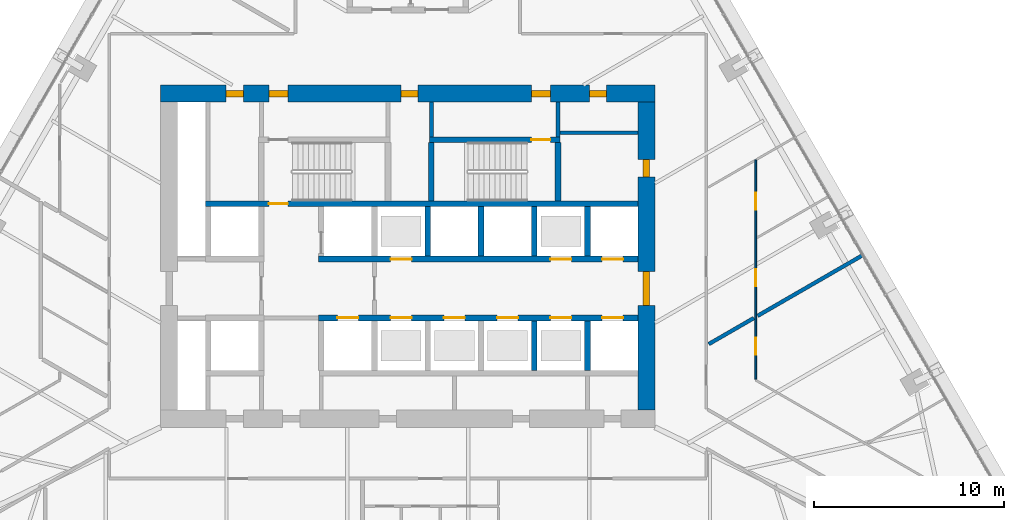
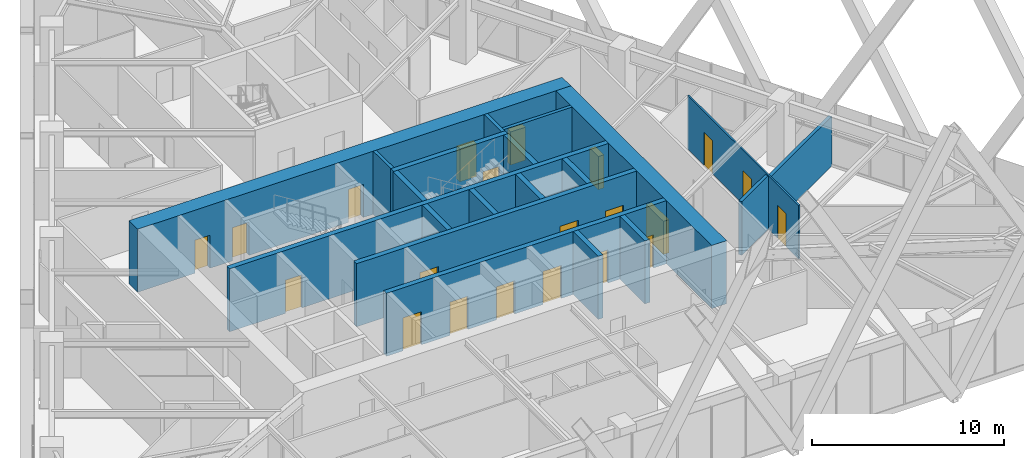
# One storey, part 19 of 23: 21 doors, 20 walls, 21 openings.
"""IFC4 building model written with IfcOpenShell, lengths in metres."""

from ifc_helpers import new_model, si_unit, direction, frame, frame_2d, origin, place, context, subcontext, project, spatial, rectangle, extrude, material, layer, layer_set, type_object, element, fill, save


model = new_model("IFC4")

# Units and contexts
model_context = context("Model", 3, precision=1e-05, world=origin(), true_north=direction((0.0, 1.0)))
body_context = subcontext(model_context, "Body", "Model", "MODEL_VIEW")
ifc_project = project(units=[si_unit("LENGTHUNIT", "METRE"), si_unit("AREAUNIT", "SQUARE_METRE"), si_unit("VOLUMEUNIT", "CUBIC_METRE"), si_unit("PLANEANGLEUNIT", "RADIAN"), si_unit("MASSUNIT", "GRAM", prefix="KILO")], contexts=[model_context])

# Site, building, storey
site_placement = place(None, origin())
site = spatial("IfcSite", under=ifc_project, at=site_placement, CompositionType="ELEMENT")
building_placement = place(site_placement, origin())
building = spatial("IfcBuilding", under=site, at=building_placement, Name="Firuza Gate Tower and Library", CompositionType="ELEMENT")
storey_placement = place(building_placement, frame((0.0, 0.0, 56.800048828125)))
storey = spatial("IfcBuildingStorey", under=building, at=storey_placement, Name="L12", CompositionType="ELEMENT", Elevation=56.800048828125)

# Walls
ifc_material_1 = material(Name="Plasterboard on steel studs", Category="steel")
ifc_layer_1 = layer(ifc_material_1, 0.199951171875)
ifc_layer_set_1 = layer_set([ifc_layer_1], Name="Core partition 200 EI 60")
wall_type_1 = type_object("IfcWallType", Name="Core partition 200 EI 60", PredefinedType="PARTITIONING", material=ifc_layer_set_1)
wall_1_placement = place(storey_placement, frame((83.0, 81.4951171875, 0.0), z_axis=(0.0, 0.0, 1.0), x_axis=(1.0, 0.0, 0.0)))
element("IfcWall", 1, at=wall_1_placement, inside=storey, type_object=wall_type_1, Name="Core partition L12 4", PredefinedType="PARTITIONING", context=body_context, shape_type="SweptSolid", body=[
    extrude(rectangle(XDim=4.10009765625, YDim=0.199951171875, at=frame_2d((2.050048828125, 0.0))), origin(), (0.0, 0.0, 1.0), 4.0),
])
for number, where, z_axis, x_axis, name in (
    (2, (76.239990234375, 81.280029296875, 0.0), (0.0, 0.0, 1.0), (0.0, 1.0, 0.0), "Core partition L12 13"),
    (3, (82.89990234375, 81.280029296875, 0.0), (0.0, 0.0, 1.0), (0.0, 1.0, 0.0), "Core partition L12 15"),
):
    element("IfcWall", number, at=place(storey_placement, frame(where, z_axis=z_axis, x_axis=x_axis)), inside=storey, type_object=wall_type_1, Name=name, PredefinedType="PARTITIONING", context=body_context, shape_type="SweptSolid", body=[
        extrude(rectangle(XDim=1.820068359375, YDim=0.199951171875, at=frame_2d((0.91015625, 0.0))), origin(), (0.0, 0.0, 1.0), 4.0),
    ])

# Wall, openings, doors
ifc_material_2 = material(Name="Concrete C80/95", Category="concrete")
ifc_layer_2 = layer(ifc_material_2, 0.300048828125)
ifc_layer_set_2 = layer_set([ifc_layer_2], Name="Core wall 300 C80/95")
wall_type_2 = type_object("IfcWallType", Name="Core wall 300 C80/95", PredefinedType="SHEAR", material=ifc_layer_set_2)
wall_2_placement = place(storey_placement, frame((70.300048828125, 71.75, 0.0), z_axis=(0.0, 0.0, 1.0), x_axis=(1.0, 0.0, 0.0)))
wall_2 = element("IfcWall", 4, at=wall_2_placement, inside=storey, type_object=wall_type_2, Name="Core wall L12 8", PredefinedType="SHEAR", context=body_context, shape_type="SweptSolid", body=[
    extrude(rectangle(XDim=16.800048828125, YDim=0.300048828125, at=frame_2d((8.39990234375, 0.0))), origin(), (0.0, 0.0, 1.0), 4.0),
])
opening_1_placement = place(wall_2_placement, frame((1.0, 0.0, 0.0)))
opening_1 = element("IfcOpeningElement", 5, at=opening_1_placement, cuts=wall_2, Name="Opening LD-FF1-L12", PredefinedType="OPENING", context=body_context, shape_type="SweptSolid", body=[
    extrude(rectangle(XDim=1.10009765625, YDim=2.10009765625, at=frame_2d((0.550048828125, 1.050048828125))), frame((0.0, 0.16015625, 0.0), z_axis=(0.0, -1.0, 0.0), x_axis=(1.0, 0.0, 0.0)), (0.0, 0.0, 1.0), 0.320068359375),
])
opening_2_placement = place(wall_2_placement, frame((3.800048828125, 0.0, 0.0)))
opening_2 = element("IfcOpeningElement", 6, at=opening_2_placement, cuts=wall_2, Name="Opening LD-LR1-L12", PredefinedType="OPENING", context=body_context, shape_type="SweptSolid", body=[
    extrude(rectangle(XDim=1.10009765625, YDim=2.10009765625, at=frame_2d((0.550048828125, 1.050048828125))), frame((0.0, 0.16015625, 0.0), z_axis=(0.0, -1.0, 0.0), x_axis=(1.0, 0.0, 0.0)), (0.0, 0.0, 1.0), 0.320068359375),
])
opening_3_placement = place(wall_2_placement, frame((6.60009765625, 0.0, 0.0)))
opening_3 = element("IfcOpeningElement", 7, at=opening_3_placement, cuts=wall_2, Name="Opening LD-LR2-L12", PredefinedType="OPENING", context=body_context, shape_type="SweptSolid", body=[
    extrude(rectangle(XDim=1.10009765625, YDim=2.10009765625, at=frame_2d((0.550048828125, 1.050048828125))), frame((0.0, 0.16015625, 0.0), z_axis=(0.0, -1.0, 0.0), x_axis=(1.0, 0.0, 0.0)), (0.0, 0.0, 1.0), 0.320068359375),
])
opening_4_placement = place(wall_2_placement, frame((9.39990234375, 0.0, 0.0)))
opening_4 = element("IfcOpeningElement", 8, at=opening_4_placement, cuts=wall_2, Name="Opening LD-LR3-L12", PredefinedType="OPENING", context=body_context, shape_type="SweptSolid", body=[
    extrude(rectangle(XDim=1.10009765625, YDim=2.10009765625, at=frame_2d((0.550048828125, 1.050048828125))), frame((0.0, 0.16015625, 0.0), z_axis=(0.0, -1.0, 0.0), x_axis=(1.0, 0.0, 0.0)), (0.0, 0.0, 1.0), 0.320068359375),
])
opening_5_placement = place(wall_2_placement, frame((12.199951171875, 0.0, 0.0)))
opening_5 = element("IfcOpeningElement", 9, at=opening_5_placement, cuts=wall_2, Name="Opening LD-LR5-L12", PredefinedType="OPENING", context=body_context, shape_type="SweptSolid", body=[
    extrude(rectangle(XDim=1.10009765625, YDim=2.10009765625, at=frame_2d((0.550048828125, 1.050048828125))), frame((0.0, 0.16015625, 0.0), z_axis=(0.0, -1.0, 0.0), x_axis=(1.0, 0.0, 0.0)), (0.0, 0.0, 1.0), 0.320068359375),
])
opening_6_placement = place(wall_2_placement, frame((14.925048828125, 0.0, 0.0)))
opening_6 = element("IfcOpeningElement", 10, at=opening_6_placement, cuts=wall_2, Name="Opening LD-LR7-L12", PredefinedType="OPENING", context=body_context, shape_type="SweptSolid", body=[
    extrude(rectangle(XDim=1.10009765625, YDim=2.10009765625, at=frame_2d((0.550048828125, 1.050048828125))), frame((0.0, 0.16015625, 0.0), z_axis=(0.0, -1.0, 0.0), x_axis=(1.0, 0.0, 0.0)), (0.0, 0.0, 1.0), 0.320068359375),
])
ifc_material_3 = material(Name="Stainless steel", Category="steel")
door_type_1 = type_object("IfcDoorType", Name="Lift landing door 1100x2100", OperationType="DOUBLE_DOOR_SLIDING", PredefinedType="DOOR", material=ifc_material_3)
door_1_placement = place(opening_1_placement, origin())
door_1 = element("IfcDoor", 11, at=door_1_placement, inside=storey, type_object=door_type_1, Name="Landing door FF1 L12", OperationType="DOUBLE_DOOR_SLIDING", OverallHeight=2.10009765625, OverallWidth=1.10009765625, PredefinedType="DOOR", context=body_context, shape_type="SweptSolid", body=[
    extrude(rectangle(XDim=1.10009765625, YDim=2.10009765625, at=frame_2d((0.550048828125, 1.050048828125))), frame((0.0, 0.02490234375, 0.0), z_axis=(0.0, -1.0, 0.0), x_axis=(1.0, 0.0, 0.0)), (0.0, 0.0, 1.0), 0.050048828125),
])
fill(opening_1, door_1)
door_2_placement = place(opening_2_placement, origin())
door_2 = element("IfcDoor", 12, at=door_2_placement, inside=storey, type_object=door_type_1, Name="Landing door LR1 L12", OperationType="DOUBLE_DOOR_SLIDING", OverallHeight=2.10009765625, OverallWidth=1.10009765625, PredefinedType="DOOR", context=body_context, shape_type="SweptSolid", body=[
    extrude(rectangle(XDim=1.10009765625, YDim=2.10009765625, at=frame_2d((0.550048828125, 1.050048828125))), frame((0.0, 0.02490234375, 0.0), z_axis=(0.0, -1.0, 0.0), x_axis=(1.0, 0.0, 0.0)), (0.0, 0.0, 1.0), 0.050048828125),
])
fill(opening_2, door_2)
door_3_placement = place(opening_3_placement, origin())
door_3 = element("IfcDoor", 13, at=door_3_placement, inside=storey, type_object=door_type_1, Name="Landing door LR2 L12", OperationType="DOUBLE_DOOR_SLIDING", OverallHeight=2.10009765625, OverallWidth=1.10009765625, PredefinedType="DOOR", context=body_context, shape_type="SweptSolid", body=[
    extrude(rectangle(XDim=1.10009765625, YDim=2.10009765625, at=frame_2d((0.550048828125, 1.050048828125))), frame((0.0, 0.02490234375, 0.0), z_axis=(0.0, -1.0, 0.0), x_axis=(1.0, 0.0, 0.0)), (0.0, 0.0, 1.0), 0.050048828125),
])
fill(opening_3, door_3)
door_4_placement = place(opening_4_placement, origin())
door_4 = element("IfcDoor", 14, at=door_4_placement, inside=storey, type_object=door_type_1, Name="Landing door LR3 L12", OperationType="DOUBLE_DOOR_SLIDING", OverallHeight=2.10009765625, OverallWidth=1.10009765625, PredefinedType="DOOR", context=body_context, shape_type="SweptSolid", body=[
    extrude(rectangle(XDim=1.10009765625, YDim=2.10009765625, at=frame_2d((0.550048828125, 1.050048828125))), frame((0.0, 0.02490234375, 0.0), z_axis=(0.0, -1.0, 0.0), x_axis=(1.0, 0.0, 0.0)), (0.0, 0.0, 1.0), 0.050048828125),
])
fill(opening_4, door_4)
door_5_placement = place(opening_5_placement, origin())
door_5 = element("IfcDoor", 15, at=door_5_placement, inside=storey, type_object=door_type_1, Name="Landing door LR5 L12", OperationType="DOUBLE_DOOR_SLIDING", OverallHeight=2.10009765625, OverallWidth=1.10009765625, PredefinedType="DOOR", context=body_context, shape_type="SweptSolid", body=[
    extrude(rectangle(XDim=1.10009765625, YDim=2.10009765625, at=frame_2d((0.550048828125, 1.050048828125))), frame((0.0, 0.02490234375, 0.0), z_axis=(0.0, -1.0, 0.0), x_axis=(1.0, 0.0, 0.0)), (0.0, 0.0, 1.0), 0.050048828125),
])
fill(opening_5, door_5)
door_6_placement = place(opening_6_placement, origin())
door_6 = element("IfcDoor", 16, at=door_6_placement, inside=storey, type_object=door_type_1, Name="Landing door LR7 L12", OperationType="DOUBLE_DOOR_SLIDING", OverallHeight=2.10009765625, OverallWidth=1.10009765625, PredefinedType="DOOR", context=body_context, shape_type="SweptSolid", body=[
    extrude(rectangle(XDim=1.10009765625, YDim=2.10009765625, at=frame_2d((0.550048828125, 1.050048828125))), frame((0.0, 0.02490234375, 0.0), z_axis=(0.0, -1.0, 0.0), x_axis=(1.0, 0.0, 0.0)), (0.0, 0.0, 1.0), 0.050048828125),
])
fill(opening_6, door_6)

wall_3_placement = place(storey_placement, frame((70.300048828125, 74.85009765625, 0.0), z_axis=(0.0, 0.0, 1.0), x_axis=(1.0, 0.0, 0.0)))
wall_3 = element("IfcWall", 17, at=wall_3_placement, inside=storey, type_object=wall_type_2, Name="Core wall L12 10", PredefinedType="SHEAR", context=body_context, shape_type="SweptSolid", body=[
    extrude(rectangle(XDim=16.800048828125, YDim=0.300048828125, at=frame_2d((8.39990234375, 0.0))), origin(), (0.0, 0.0, 1.0), 4.0),
])
opening_7_placement = place(wall_3_placement, frame((3.800048828125, 0.0, 0.0)))
opening_7 = element("IfcOpeningElement", 18, at=opening_7_placement, cuts=wall_3, Name="Opening LD-LR4-L12", PredefinedType="OPENING", context=body_context, shape_type="SweptSolid", body=[
    extrude(rectangle(XDim=1.10009765625, YDim=2.10009765625, at=frame_2d((0.550048828125, 1.050048828125))), frame((0.0, 0.16015625, 0.0), z_axis=(0.0, -1.0, 0.0), x_axis=(1.0, 0.0, 0.0)), (0.0, 0.0, 1.0), 0.320068359375),
])
opening_8_placement = place(wall_3_placement, frame((12.199951171875, 0.0, 0.0)))
opening_8 = element("IfcOpeningElement", 19, at=opening_8_placement, cuts=wall_3, Name="Opening LD-LR6-L12", PredefinedType="OPENING", context=body_context, shape_type="SweptSolid", body=[
    extrude(rectangle(XDim=1.10009765625, YDim=2.10009765625, at=frame_2d((0.550048828125, 1.050048828125))), frame((0.0, 0.16015625, 0.0), z_axis=(0.0, -1.0, 0.0), x_axis=(1.0, 0.0, 0.0)), (0.0, 0.0, 1.0), 0.320068359375),
])
opening_9_placement = place(wall_3_placement, frame((14.925048828125, 0.0, 0.0)))
opening_9 = element("IfcOpeningElement", 20, at=opening_9_placement, cuts=wall_3, Name="Opening LD-LR8-L12", PredefinedType="OPENING", context=body_context, shape_type="SweptSolid", body=[
    extrude(rectangle(XDim=1.10009765625, YDim=2.10009765625, at=frame_2d((0.550048828125, 1.050048828125))), frame((0.0, 0.16015625, 0.0), z_axis=(0.0, -1.0, 0.0), x_axis=(1.0, 0.0, 0.0)), (0.0, 0.0, 1.0), 0.320068359375),
])
door_7_placement = place(opening_7_placement, origin())
door_7 = element("IfcDoor", 21, at=door_7_placement, inside=storey, type_object=door_type_1, Name="Landing door LR4 L12", OperationType="DOUBLE_DOOR_SLIDING", OverallHeight=2.10009765625, OverallWidth=1.10009765625, PredefinedType="DOOR", context=body_context, shape_type="SweptSolid", body=[
    extrude(rectangle(XDim=1.10009765625, YDim=2.10009765625, at=frame_2d((0.550048828125, 1.050048828125))), frame((0.0, 0.02490234375, 0.0), z_axis=(0.0, -1.0, 0.0), x_axis=(1.0, 0.0, 0.0)), (0.0, 0.0, 1.0), 0.050048828125),
])
fill(opening_7, door_7)
door_8_placement = place(opening_8_placement, origin())
door_8 = element("IfcDoor", 22, at=door_8_placement, inside=storey, type_object=door_type_1, Name="Landing door LR6 L12", OperationType="DOUBLE_DOOR_SLIDING", OverallHeight=2.10009765625, OverallWidth=1.10009765625, PredefinedType="DOOR", context=body_context, shape_type="SweptSolid", body=[
    extrude(rectangle(XDim=1.10009765625, YDim=2.10009765625, at=frame_2d((0.550048828125, 1.050048828125))), frame((0.0, 0.02490234375, 0.0), z_axis=(0.0, -1.0, 0.0), x_axis=(1.0, 0.0, 0.0)), (0.0, 0.0, 1.0), 0.050048828125),
])
fill(opening_8, door_8)
door_9_placement = place(opening_9_placement, origin())
door_9 = element("IfcDoor", 23, at=door_9_placement, inside=storey, type_object=door_type_1, Name="Landing door LR8 L12", OperationType="DOUBLE_DOOR_SLIDING", OverallHeight=2.10009765625, OverallWidth=1.10009765625, PredefinedType="DOOR", context=body_context, shape_type="SweptSolid", body=[
    extrude(rectangle(XDim=1.10009765625, YDim=2.10009765625, at=frame_2d((0.550048828125, 1.050048828125))), frame((0.0, 0.02490234375, 0.0), z_axis=(0.0, -1.0, 0.0), x_axis=(1.0, 0.0, 0.0)), (0.0, 0.0, 1.0), 0.050048828125),
])
fill(opening_9, door_9)

# Walls
for number, where, z_axis, x_axis, name in (
    (24, (76.050048828125, 75.0, 0.0), (0.0, 0.0, 1.0), (0.0, 1.0, 0.0), "Core wall L12 20"),
    (25, (78.85009765625, 75.0, 0.0), (0.0, 0.0, 1.0), (0.0, 1.0, 0.0), "Core wall L12 22"),
    (26, (81.64990234375, 69.0, 0.0), (0.0, 0.0, 1.0), (0.0, 1.0, 0.0), "Core wall L12 23"),
    (27, (81.64990234375, 75.0, 0.0), (0.0, 0.0, 1.0), (0.0, 1.0, 0.0), "Core wall L12 24"),
    (28, (84.449951171875, 69.0, 0.0), (0.0, 0.0, 1.0), (0.0, 1.0, 0.0), "Core wall L12 25"),
    (29, (84.449951171875, 75.0, 0.0), (0.0, 0.0, 1.0), (0.0, 1.0, 0.0), "Core wall L12 26"),
):
    element("IfcWall", number, at=place(storey_placement, frame(where, z_axis=z_axis, x_axis=x_axis)), inside=storey, type_object=wall_type_2, Name=name, PredefinedType="SHEAR", context=body_context, shape_type="SweptSolid", body=[
        extrude(rectangle(XDim=2.60009765625, YDim=0.300048828125, at=frame_2d((1.300048828125, 0.0))), origin(), (0.0, 0.0, 1.0), 4.0),
    ])

# Wall, opening, door
wall_4_placement = place(storey_placement, frame((64.35009765625, 77.75, 0.0), z_axis=(0.0, 0.0, 1.0), x_axis=(1.0, 0.0, 0.0)))
wall_4 = element("IfcWall", 30, at=wall_4_placement, inside=storey, type_object=wall_type_2, Name="Core wall L12 27", PredefinedType="SHEAR", context=body_context, shape_type="SweptSolid", body=[
    extrude(rectangle(XDim=22.75, YDim=0.300048828125, at=frame_2d((11.375, 0.0))), origin(), (0.0, 0.0, 1.0), 4.0),
])
opening_10_placement = place(wall_4_placement, frame((3.344970703125, 0.0, 0.0)))
opening_10 = element("IfcOpeningElement", 31, at=opening_10_placement, cuts=wall_4, Name="Opening L12-K12", PredefinedType="OPENING", context=body_context, shape_type="SweptSolid", body=[
    extrude(rectangle(XDim=1.0, YDim=2.10009765625, at=frame_2d((0.5, 1.050048828125))), frame((0.0, 0.16015625, 0.0), z_axis=(0.0, -1.0, 0.0), x_axis=(1.0, 0.0, 0.0)), (0.0, 0.0, 1.0), 0.320068359375),
])
ifc_material_4 = material(Name="Steel", Category="steel")
door_type_2 = type_object("IfcDoorType", Name="Fire door 1000x2100 FD90", OperationType="NOTDEFINED", PredefinedType="DOOR", material=ifc_material_4)
door_10_placement = place(opening_10_placement, origin())
door_10 = element("IfcDoor", 32, at=door_10_placement, inside=storey, type_object=door_type_2, Name="Door L12-K12", OperationType="SINGLE_SWING_LEFT", OverallHeight=2.10009765625, OverallWidth=1.0, PredefinedType="DOOR", context=body_context, shape_type="SweptSolid", body=[
    extrude(rectangle(XDim=1.0, YDim=2.10009765625, at=frame_2d((0.5, 1.050048828125))), frame((0.0, 0.02490234375, 0.0), z_axis=(0.0, -1.0, 0.0), x_axis=(1.0, 0.0, 0.0)), (0.0, 0.0, 1.0), 0.050048828125),
])
fill(opening_10, door_10)

wall_5_placement = place(storey_placement, frame((76.139892578125, 81.1298828125, 0.0), z_axis=(0.0, 0.0, 1.0), x_axis=(1.0, 0.0, 0.0)))
wall_5 = element("IfcWall", 33, at=wall_5_placement, inside=storey, type_object=wall_type_2, Name="Core wall L12 29", PredefinedType="SHEAR", context=body_context, shape_type="SweptSolid", body=[
    extrude(rectangle(XDim=6.860107421875, YDim=0.300048828125, at=frame_2d((3.43017578125, 0.0))), origin(), (0.0, 0.0, 1.0), 4.0),
])
opening_11_placement = place(wall_5_placement, frame((5.364990234375, 0.0, 0.0)))
opening_11 = element("IfcOpeningElement", 34, at=opening_11_placement, cuts=wall_5, Name="Opening L12-K15", PredefinedType="OPENING", context=body_context, shape_type="SweptSolid", body=[
    extrude(rectangle(XDim=1.0, YDim=2.10009765625, at=frame_2d((0.5, 1.050048828125))), frame((0.0, 0.16015625, 0.0), z_axis=(0.0, -1.0, 0.0), x_axis=(1.0, 0.0, 0.0)), (0.0, 0.0, 1.0), 0.320068359375),
])
door_11_placement = place(opening_11_placement, origin())
door_11 = element("IfcDoor", 35, at=door_11_placement, inside=storey, type_object=door_type_2, Name="Door L12-K15", OperationType="SINGLE_SWING_RIGHT", OverallHeight=2.10009765625, OverallWidth=1.0, PredefinedType="DOOR", context=body_context, shape_type="SweptSolid", body=[
    extrude(rectangle(XDim=1.0, YDim=2.10009765625, at=frame_2d((0.5, 1.050048828125))), frame((0.0, 0.02490234375, 0.0), z_axis=(0.0, -1.0, 0.0), x_axis=(1.0, 0.0, 0.0)), (0.0, 0.0, 1.0), 0.050048828125),
])
fill(opening_11, door_11)

# Walls
for number, where, z_axis, x_axis, name in (
    (36, (76.239990234375, 77.89990234375, 0.0), (0.0, 0.0, 1.0), (0.0, 1.0, 0.0), "Core wall L12 32"),
    (37, (82.89990234375, 77.89990234375, 0.0), (0.0, 0.0, 1.0), (0.0, 1.0, 0.0), "Core wall L12 33"),
):
    element("IfcWall", number, at=place(storey_placement, frame(where, z_axis=z_axis, x_axis=x_axis)), inside=storey, type_object=wall_type_2, Name=name, PredefinedType="SHEAR", context=body_context, shape_type="SweptSolid", body=[
        extrude(rectangle(XDim=3.080078125, YDim=0.300048828125, at=frame_2d((1.5400390625, 0.0))), origin(), (0.0, 0.0, 1.0), 4.0),
    ])

# Wall, openings, doors
ifc_material_5 = material(Name="Concrete C80/95", Category="concrete")
ifc_layer_3 = layer(ifc_material_5, 0.89990234375)
ifc_layer_set_3 = layer_set([ifc_layer_3], Name="Core wall 900 C80/95")
wall_type_3 = type_object("IfcWallType", Name="Core wall 900 C80/95", PredefinedType="SHEAR", material=ifc_layer_set_3)
wall_6_placement = place(storey_placement, frame((62.0, 83.550048828125, 0.0), z_axis=(0.0, 0.0, 1.0), x_axis=(1.0, 0.0, 0.0)))
wall_6 = element("IfcWall", 38, at=wall_6_placement, inside=storey, type_object=wall_type_3, Name="Core wall L12 2", PredefinedType="SHEAR", context=body_context, shape_type="SweptSolid", body=[
    extrude(rectangle(XDim=26.0, YDim=0.89990234375, at=frame_2d((13.0, 0.0))), origin(), (0.0, 0.0, 1.0), 4.0),
])
opening_12_placement = place(wall_6_placement, frame((5.695068359375, 0.0, 0.0)))
opening_12 = element("IfcOpeningElement", 39, at=opening_12_placement, cuts=wall_6, Name="Opening L12-K14", PredefinedType="OPENING", context=body_context, shape_type="SweptSolid", body=[
    extrude(rectangle(XDim=1.0, YDim=2.10009765625, at=frame_2d((0.5, 1.050048828125))), frame((0.0, 0.4599609375, 0.0), z_axis=(0.0, -1.0, 0.0), x_axis=(1.0, 0.0, 0.0)), (0.0, 0.0, 1.0), 0.919921875),
])
opening_13_placement = place(wall_6_placement, frame((19.5048828125, 0.0, 0.0)))
opening_13 = element("IfcOpeningElement", 40, at=opening_13_placement, cuts=wall_6, Name="Opening L12-K16", PredefinedType="OPENING", context=body_context, shape_type="SweptSolid", body=[
    extrude(rectangle(XDim=1.0, YDim=2.10009765625, at=frame_2d((0.5, 1.050048828125))), frame((0.0, 0.4599609375, 0.0), z_axis=(0.0, -1.0, 0.0), x_axis=(1.0, 0.0, 0.0)), (0.0, 0.0, 1.0), 0.919921875),
])
opening_14_placement = place(wall_6_placement, frame((3.449951171875, 0.0, 0.0)))
opening_14 = element("IfcOpeningElement", 41, at=opening_14_placement, cuts=wall_6, Name="Opening L12-K29", PredefinedType="OPENING", context=body_context, shape_type="SweptSolid", body=[
    extrude(rectangle(XDim=0.89990234375, YDim=2.10009765625, at=frame_2d((0.449951171875, 1.050048828125))), frame((0.0, 0.4599609375, 0.0), z_axis=(0.0, -1.0, 0.0), x_axis=(1.0, 0.0, 0.0)), (0.0, 0.0, 1.0), 0.919921875),
])
opening_15_placement = place(wall_6_placement, frame((12.64990234375, 0.0, 0.0)))
opening_15 = element("IfcOpeningElement", 42, at=opening_15_placement, cuts=wall_6, Name="Opening L12-K30", PredefinedType="OPENING", context=body_context, shape_type="SweptSolid", body=[
    extrude(rectangle(XDim=0.89990234375, YDim=2.10009765625, at=frame_2d((0.449951171875, 1.050048828125))), frame((0.0, 0.4599609375, 0.0), z_axis=(0.0, -1.0, 0.0), x_axis=(1.0, 0.0, 0.0)), (0.0, 0.0, 1.0), 0.919921875),
])
opening_16_placement = place(wall_6_placement, frame((22.550048828125, 0.0, 0.0)))
opening_16 = element("IfcOpeningElement", 43, at=opening_16_placement, cuts=wall_6, Name="Opening L12-K32", PredefinedType="OPENING", context=body_context, shape_type="SweptSolid", body=[
    extrude(rectangle(XDim=0.89990234375, YDim=2.10009765625, at=frame_2d((0.449951171875, 1.050048828125))), frame((0.0, 0.4599609375, 0.0), z_axis=(0.0, -1.0, 0.0), x_axis=(1.0, 0.0, 0.0)), (0.0, 0.0, 1.0), 0.919921875),
])
door_12_placement = place(opening_12_placement, origin())
door_12 = element("IfcDoor", 44, at=door_12_placement, inside=storey, type_object=door_type_2, Name="Door L12-K14", OperationType="SINGLE_SWING_LEFT", OverallHeight=2.10009765625, OverallWidth=1.0, PredefinedType="DOOR", context=body_context, shape_type="SweptSolid", body=[
    extrude(rectangle(XDim=1.0, YDim=2.10009765625, at=frame_2d((0.5, 1.050048828125))), frame((0.0, 0.169921875, 0.0), z_axis=(0.0, -1.0, 0.0), x_axis=(1.0, 0.0, 0.0)), (0.0, 0.0, 1.0), 0.33984375),
])
fill(opening_12, door_12)
door_13_placement = place(opening_13_placement, origin())
door_13 = element("IfcDoor", 45, at=door_13_placement, inside=storey, type_object=door_type_2, Name="Door L12-K16", OperationType="SINGLE_SWING_LEFT", OverallHeight=2.10009765625, OverallWidth=1.0, PredefinedType="DOOR", context=body_context, shape_type="SweptSolid", body=[
    extrude(rectangle(XDim=1.0, YDim=2.10009765625, at=frame_2d((0.5, 1.050048828125))), frame((0.0, 0.169921875, 0.0), z_axis=(0.0, -1.0, 0.0), x_axis=(1.0, 0.0, 0.0)), (0.0, 0.0, 1.0), 0.33984375),
])
fill(opening_13, door_13)
ifc_material_6 = material(Name="Steel", Category="steel")
door_type_3 = type_object("IfcDoorType", Name="Fire door 900x2100 FD30S", OperationType="NOTDEFINED", PredefinedType="DOOR", material=ifc_material_6)
door_14_placement = place(opening_14_placement, origin())
door_14 = element("IfcDoor", 46, at=door_14_placement, inside=storey, type_object=door_type_3, Name="Door L12-K29", OperationType="SINGLE_SWING_RIGHT", OverallHeight=2.10009765625, OverallWidth=0.89990234375, PredefinedType="DOOR", context=body_context, shape_type="SweptSolid", body=[
    extrude(rectangle(XDim=0.89990234375, YDim=2.10009765625, at=frame_2d((0.449951171875, 1.050048828125))), frame((0.0, 0.169921875, 0.0), z_axis=(0.0, -1.0, 0.0), x_axis=(1.0, 0.0, 0.0)), (0.0, 0.0, 1.0), 0.33984375),
])
fill(opening_14, door_14)
door_15_placement = place(opening_15_placement, origin())
door_15 = element("IfcDoor", 47, at=door_15_placement, inside=storey, type_object=door_type_3, Name="Door L12-K30", OperationType="SINGLE_SWING_LEFT", OverallHeight=2.10009765625, OverallWidth=0.89990234375, PredefinedType="DOOR", context=body_context, shape_type="SweptSolid", body=[
    extrude(rectangle(XDim=0.89990234375, YDim=2.10009765625, at=frame_2d((0.449951171875, 1.050048828125))), frame((0.0, 0.169921875, 0.0), z_axis=(0.0, -1.0, 0.0), x_axis=(1.0, 0.0, 0.0)), (0.0, 0.0, 1.0), 0.33984375),
])
fill(opening_15, door_15)
door_16_placement = place(opening_16_placement, origin())
door_16 = element("IfcDoor", 48, at=door_16_placement, inside=storey, type_object=door_type_3, Name="Door L12-K32", OperationType="SINGLE_SWING_LEFT", OverallHeight=2.10009765625, OverallWidth=0.89990234375, PredefinedType="DOOR", context=body_context, shape_type="SweptSolid", body=[
    extrude(rectangle(XDim=0.89990234375, YDim=2.10009765625, at=frame_2d((0.449951171875, 1.050048828125))), frame((0.0, 0.169921875, 0.0), z_axis=(0.0, -1.0, 0.0), x_axis=(1.0, 0.0, 0.0)), (0.0, 0.0, 1.0), 0.33984375),
])
fill(opening_16, door_16)

wall_7_placement = place(storey_placement, frame((87.550048828125, 66.89990234375, 0.0), z_axis=(0.0, 0.0, 1.0), x_axis=(0.0, 1.0, 0.0)))
wall_7 = element("IfcWall", 49, at=wall_7_placement, inside=storey, type_object=wall_type_3, Name="Core wall L12 4", PredefinedType="SHEAR", context=body_context, shape_type="SweptSolid", body=[
    extrude(rectangle(XDim=16.2001953125, YDim=0.89990234375, at=frame_2d((8.10009765625, 0.0))), origin(), (0.0, 0.0, 1.0), 4.0),
])
opening_17_placement = place(wall_7_placement, frame((5.5, 0.0, 0.0)))
opening_17 = element("IfcOpeningElement", 50, at=opening_17_placement, cuts=wall_7, Name="Opening L12-K23", PredefinedType="OPENING", context=body_context, shape_type="SweptSolid", body=[
    extrude(rectangle(XDim=1.800048828125, YDim=2.10009765625, at=frame_2d((0.89990234375, 1.050048828125))), frame((0.0, 0.4599609375, 0.0), z_axis=(0.0, -1.0, 0.0), x_axis=(1.0, 0.0, 0.0)), (0.0, 0.0, 1.0), 0.919921875),
])
opening_18_placement = place(wall_7_placement, frame((12.2724609375, 0.0, 0.0)))
opening_18 = element("IfcOpeningElement", 51, at=opening_18_placement, cuts=wall_7, Name="Opening L12-K31", PredefinedType="OPENING", context=body_context, shape_type="SweptSolid", body=[
    extrude(rectangle(XDim=0.89990234375, YDim=2.10009765625, at=frame_2d((0.449951171875, 1.050048828125))), frame((0.0, 0.4599609375, 0.0), z_axis=(0.0, -1.0, 0.0), x_axis=(1.0, 0.0, 0.0)), (0.0, 0.0, 1.0), 0.919921875),
])
ifc_material_7 = material(Name="Steel", Category="steel")
door_type_4 = type_object("IfcDoorType", Name="Fire door 1800x2100 FD30S", OperationType="NOTDEFINED", PredefinedType="DOOR", material=ifc_material_7)
door_17_placement = place(opening_17_placement, origin())
door_17 = element("IfcDoor", 52, at=door_17_placement, inside=storey, type_object=door_type_4, Name="Door L12-K23", OperationType="SINGLE_SWING_RIGHT", OverallHeight=2.10009765625, OverallWidth=1.800048828125, PredefinedType="DOOR", context=body_context, shape_type="SweptSolid", body=[
    extrude(rectangle(XDim=1.800048828125, YDim=2.10009765625, at=frame_2d((0.89990234375, 1.050048828125))), frame((0.0, 0.169921875, 0.0), z_axis=(0.0, -1.0, 0.0), x_axis=(1.0, 0.0, 0.0)), (0.0, 0.0, 1.0), 0.33984375),
])
fill(opening_17, door_17)
door_18_placement = place(opening_18_placement, origin())
door_18 = element("IfcDoor", 53, at=door_18_placement, inside=storey, type_object=door_type_3, Name="Door L12-K31", OperationType="SINGLE_SWING_RIGHT", OverallHeight=2.10009765625, OverallWidth=0.89990234375, PredefinedType="DOOR", context=body_context, shape_type="SweptSolid", body=[
    extrude(rectangle(XDim=0.89990234375, YDim=2.10009765625, at=frame_2d((0.449951171875, 1.050048828125))), frame((0.0, 0.169921875, 0.0), z_axis=(0.0, -1.0, 0.0), x_axis=(1.0, 0.0, 0.0)), (0.0, 0.0, 1.0), 0.33984375),
])
fill(opening_18, door_18)

# Walls
ifc_material_8 = material(Name="Gypsum board partition")
ifc_layer_4 = layer(ifc_material_8, 0.199951171875)
ifc_layer_set_4 = layer_set([ifc_layer_4], Name="Demising wall 200 acoustic double stud")
wall_type_4 = type_object("IfcWallType", Name="Demising wall 200 acoustic double stud", PredefinedType="PARTITIONING", material=ifc_layer_set_4)
wall_8_placement = place(storey_placement, frame((90.826904296875, 70.3759765625, 0.0), z_axis=(0.0, 0.0, 1.0), x_axis=(0.866019409031, 0.500010383074, 0.0)))
element("IfcWall", 54, at=wall_8_placement, inside=storey, type_object=wall_type_4, Name="f:L12:w013", PredefinedType="PARTITIONING", context=body_context, shape_type="SweptSolid", body=[
    extrude(rectangle(XDim=2.740234375, YDim=0.199951171875, at=frame_2d((1.3701171875, 0.0))), origin(), (0.0, 0.0, 1.0), 3.39990234375),
])
wall_9_placement = place(storey_placement, frame((93.39990234375, 71.861572265625, 0.0), z_axis=(0.0, 0.0, 1.0), x_axis=(0.866018247172, 0.500012395411, 0.0)))
element("IfcWall", 55, at=wall_9_placement, inside=storey, type_object=wall_type_4, Name="f:L12:w069", PredefinedType="PARTITIONING", context=body_context, shape_type="SweptSolid", body=[
    extrude(rectangle(XDim=6.365478515625, YDim=0.199951171875, at=frame_2d((3.1826171875, 0.0))), origin(), (0.0, 0.0, 1.0), 3.1650390625),
])

# Wall, openings, doors
ifc_material_9 = material(Name="Gypsum board partition")
ifc_layer_5 = layer(ifc_material_9, 0.10009765625)
ifc_layer_set_5 = layer_set([ifc_layer_5], Name="Partition 100 gypsum board on steel studs")
wall_type_5 = type_object("IfcWallType", Name="Partition 100 gypsum board on steel studs", PredefinedType="PARTITIONING", material=ifc_layer_set_5)
wall_10_placement = place(storey_placement, frame((93.300048828125, 80.060791015625, 0.0), z_axis=(0.0, 0.0, 1.0), x_axis=(0.0, -1.0, 0.0)))
wall_10 = element("IfcWall", 56, at=wall_10_placement, inside=storey, type_object=wall_type_5, Name="f:L12:w028", PredefinedType="PARTITIONING", context=body_context, shape_type="SweptSolid", body=[
    extrude(rectangle(XDim=11.527099609375, YDim=0.10009765625, at=frame_2d((5.763671875, 0.0))), origin(), (0.0, 0.0, 1.0), 3.39990234375),
])
opening_19_placement = place(wall_10_placement, frame((1.7158203125, 0.0, 0.0)))
opening_19 = element("IfcOpeningElement", 57, at=opening_19_placement, cuts=wall_10, Name="Opening L12-17", PredefinedType="OPENING", context=body_context, shape_type="SweptSolid", body=[
    extrude(rectangle(XDim=0.89990234375, YDim=2.10009765625, at=frame_2d((0.449951171875, 1.050048828125))), frame((0.0, 0.06005859375, 0.0), z_axis=(0.0, -1.0, 0.0), x_axis=(1.0, 0.0, 0.0)), (0.0, 0.0, 1.0), 0.1201171875),
])
opening_20_placement = place(wall_10_placement, frame((5.740966796875, 0.0, 0.0)))
opening_20 = element("IfcOpeningElement", 58, at=opening_20_placement, cuts=wall_10, Name="Opening L12-18", PredefinedType="OPENING", context=body_context, shape_type="SweptSolid", body=[
    extrude(rectangle(XDim=0.89990234375, YDim=2.10009765625, at=frame_2d((0.449951171875, 1.050048828125))), frame((0.0, 0.06005859375, 0.0), z_axis=(0.0, -1.0, 0.0), x_axis=(1.0, 0.0, 0.0)), (0.0, 0.0, 1.0), 0.1201171875),
])
opening_21_placement = place(wall_10_placement, frame((9.342041015625, 0.0, 0.0)))
opening_21 = element("IfcOpeningElement", 59, at=opening_21_placement, cuts=wall_10, Name="Opening L12-19", PredefinedType="OPENING", context=body_context, shape_type="SweptSolid", body=[
    extrude(rectangle(XDim=0.89990234375, YDim=2.10009765625, at=frame_2d((0.449951171875, 1.050048828125))), frame((0.0, 0.06005859375, 0.0), z_axis=(0.0, -1.0, 0.0), x_axis=(1.0, 0.0, 0.0)), (0.0, 0.0, 1.0), 0.1201171875),
])
ifc_material_10 = material(Name="Timber door", Category="wood")
door_type_5 = type_object("IfcDoorType", Name="Door 900 x 2100 timber leaf", OperationType="NOTDEFINED", PredefinedType="DOOR", material=ifc_material_10)
door_19_placement = place(opening_19_placement, origin())
door_19 = element("IfcDoor", 60, at=door_19_placement, inside=storey, type_object=door_type_5, Name="f:L12:d017", OperationType="SINGLE_SWING_RIGHT", OverallHeight=2.10009765625, OverallWidth=0.89990234375, PredefinedType="DOOR", context=body_context, shape_type="SweptSolid", body=[
    extrude(rectangle(XDim=0.89990234375, YDim=2.10009765625, at=frame_2d((0.449951171875, 1.050048828125))), frame((0.0, 0.02490234375, 0.0), z_axis=(0.0, -1.0, 0.0), x_axis=(1.0, 0.0, 0.0)), (0.0, 0.0, 1.0), 0.050048828125),
])
fill(opening_19, door_19)
door_20_placement = place(opening_20_placement, origin())
door_20 = element("IfcDoor", 61, at=door_20_placement, inside=storey, type_object=door_type_5, Name="f:L12:d018", OperationType="SINGLE_SWING_LEFT", OverallHeight=2.10009765625, OverallWidth=0.89990234375, PredefinedType="DOOR", context=body_context, shape_type="SweptSolid", body=[
    extrude(rectangle(XDim=0.89990234375, YDim=2.10009765625, at=frame_2d((0.449951171875, 1.050048828125))), frame((0.0, 0.02490234375, 0.0), z_axis=(0.0, -1.0, 0.0), x_axis=(1.0, 0.0, 0.0)), (0.0, 0.0, 1.0), 0.050048828125),
])
fill(opening_20, door_20)
door_21_placement = place(opening_21_placement, origin())
door_21 = element("IfcDoor", 62, at=door_21_placement, inside=storey, type_object=door_type_5, Name="f:L12:d019", OperationType="SINGLE_SWING_LEFT", OverallHeight=2.10009765625, OverallWidth=0.89990234375, PredefinedType="DOOR", context=body_context, shape_type="SweptSolid", body=[
    extrude(rectangle(XDim=0.89990234375, YDim=2.10009765625, at=frame_2d((0.449951171875, 1.050048828125))), frame((0.0, 0.02490234375, 0.0), z_axis=(0.0, -1.0, 0.0), x_axis=(1.0, 0.0, 0.0)), (0.0, 0.0, 1.0), 0.050048828125),
])
fill(opening_21, door_21)

save(model, "model.ifc")
